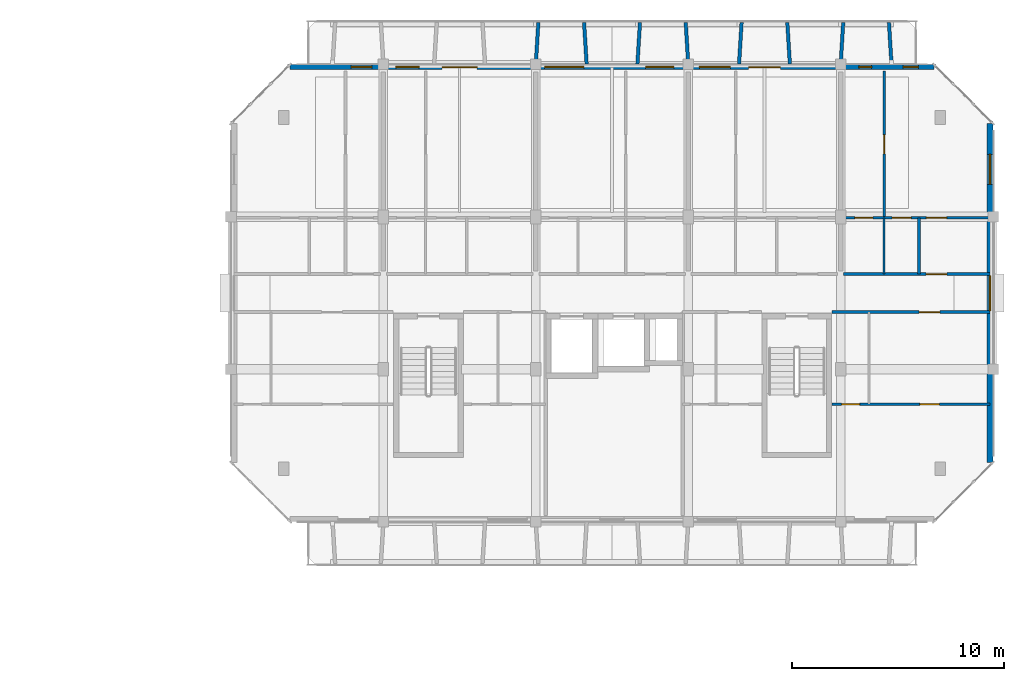
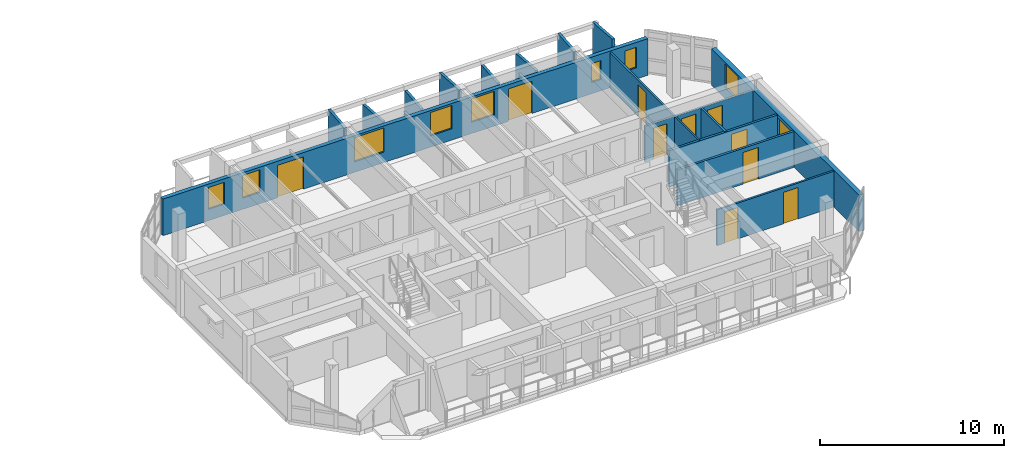
# One storey, part 28 of 40: 17 walls, 10 doors, 9 windows, 19 openings.
"""IFC4 building model written with IfcOpenShell, lengths in metres."""

from ifc_helpers import new_model, si_unit, direction, frame, frame_2d, origin, place, context, subcontext, project, spatial, rectangle, extrude, material, layer, layer_set, type_object, element, fill, save


model = new_model("IFC4")

# Units and contexts
model_context = context("Model", 3, precision=1e-05, world=origin(), true_north=direction((0.0, 1.0)))
body_context = subcontext(model_context, "Body", "Model", "MODEL_VIEW")
ifc_project = project(units=[si_unit("LENGTHUNIT", "METRE"), si_unit("AREAUNIT", "SQUARE_METRE"), si_unit("VOLUMEUNIT", "CUBIC_METRE"), si_unit("PLANEANGLEUNIT", "RADIAN"), si_unit("MASSUNIT", "GRAM", prefix="KILO")], contexts=[model_context])

# Site, building, storey
site_placement = place(None, origin())
site = spatial("IfcSite", under=ifc_project, at=site_placement, CompositionType="ELEMENT")
building_placement = place(site_placement, origin())
building = spatial("IfcBuilding", under=site, at=building_placement, Name="Ochrevale Crest", CompositionType="ELEMENT")
storey_placement = place(building_placement, frame((0.0, 0.0, 27.60009765625)))
storey = spatial("IfcBuildingStorey", under=building, at=storey_placement, Name="L08", CompositionType="ELEMENT", Elevation=27.60009765625)

# Wall, opening, door
ifc_material_1 = material(Name="Gypsum plasterboard", Category="gypsum")
ifc_layer_1 = layer(ifc_material_1, 0.139892578125)
ifc_layer_set_1 = layer_set([ifc_layer_1], Name="Gypsum plasterboard")
wall_type_1 = type_object("IfcWallType", Name="WL-COR-140", PredefinedType="PARTITIONING", material=ifc_layer_set_1)
wall_1_placement = place(storey_placement, frame((158.5400390625, 83.699951171875, 0.0), z_axis=(0.0, 0.0, 1.0), x_axis=(1.0, 0.0, 0.0)))
wall_1 = element("IfcWall", 1, at=wall_1_placement, inside=storey, type_object=wall_type_1, Name="Apartment D-L08-U5 corridor wall", PredefinedType="PARTITIONING", context=body_context, shape_type="SweptSolid", body=[
    extrude(rectangle(XDim=6.919921875, YDim=0.139892578125, at=frame_2d((3.4599609375, 0.0))), origin(), (0.0, 0.0, 1.0), 2.3798828125),
])
opening_1_placement = place(wall_1_placement, frame((4.875, 0.0, 0.0), z_axis=(0.0, 0.0, 1.0), x_axis=(-1.0, 0.0, 0.0)))
opening_1 = element("IfcOpeningElement", 2, at=opening_1_placement, cuts=wall_1, Name="Opening FD01", PredefinedType="OPENING", context=body_context, shape_type="SweptSolid", body=[
    extrude(rectangle(XDim=0.97998046875, YDim=2.10009765625, at=frame_2d((0.489990234375, 1.050048828125))), frame((0.0, 0.080078125, 0.0), z_axis=(0.0, -1.0, 0.0), x_axis=(1.0, 0.0, 0.0)), (0.0, 0.0, 1.0), 0.159912109375),
])
ifc_material_2 = material(Name="Solid-core FSC hardwood", Category="wood")
door_type_1 = type_object("IfcDoorType", Name="DR-APT-950", OperationType="NOTDEFINED", PredefinedType="DOOR", material=ifc_material_2)
door_1_placement = place(opening_1_placement, origin())
door_1 = element("IfcDoor", 3, at=door_1_placement, inside=storey, type_object=door_type_1, Name="Apartment D-L08-U5 entrance door", OperationType="SINGLE_SWING_RIGHT", OverallHeight=2.10009765625, OverallWidth=0.97998046875, PredefinedType="DOOR", context=body_context, shape_type="SweptSolid", body=[
    extrude(rectangle(XDim=0.97998046875, YDim=2.10009765625, at=frame_2d((0.489990234375, 1.050048828125))), frame((0.0, 0.02490234375, 0.0), z_axis=(0.0, -1.0, 0.0), x_axis=(1.0, 0.0, 0.0)), (0.0, 0.0, 1.0), 0.050048828125),
])
fill(opening_1, door_1)

wall_2_placement = place(storey_placement, frame((157.989990234375, 81.89990234375, 0.0), z_axis=(0.0, 0.0, 1.0), x_axis=(1.0, 0.0, 0.0)))
wall_2 = element("IfcWall", 4, at=wall_2_placement, inside=storey, type_object=wall_type_1, Name="Suite D-L08-CE corridor wall", PredefinedType="PARTITIONING", context=body_context, shape_type="SweptSolid", body=[
    extrude(rectangle(XDim=7.469970703125, YDim=0.139892578125, at=frame_2d((3.73486328125, 0.0))), origin(), (0.0, 0.0, 1.0), 2.3798828125),
])
opening_2_placement = place(wall_2_placement, frame((5.10009765625, 0.0, 0.0), z_axis=(0.0, 0.0, 1.0), x_axis=(-1.0, 0.0, 0.0)))
opening_2 = element("IfcOpeningElement", 5, at=opening_2_placement, cuts=wall_2, Name="Opening FD01", PredefinedType="OPENING", context=body_context, shape_type="SweptSolid", body=[
    extrude(rectangle(XDim=0.97998046875, YDim=2.10009765625, at=frame_2d((0.489990234375, 1.050048828125))), frame((0.0, 0.080078125, 0.0), z_axis=(0.0, -1.0, 0.0), x_axis=(1.0, 0.0, 0.0)), (0.0, 0.0, 1.0), 0.159912109375),
])
door_2_placement = place(opening_2_placement, origin())
door_2 = element("IfcDoor", 6, at=door_2_placement, inside=storey, type_object=door_type_1, Name="Suite D-L08-CE entrance door", OperationType="SINGLE_SWING_RIGHT", OverallHeight=2.10009765625, OverallWidth=0.97998046875, PredefinedType="DOOR", context=body_context, shape_type="SweptSolid", body=[
    extrude(rectangle(XDim=0.97998046875, YDim=2.10009765625, at=frame_2d((0.489990234375, 1.050048828125))), frame((0.0, 0.02490234375, 0.0), z_axis=(0.0, -1.0, 0.0), x_axis=(1.0, 0.0, 0.0)), (0.0, 0.0, 1.0), 0.050048828125),
])
fill(opening_2, door_2)

# Wall, openings, windows
ifc_material_3 = material(Name="Clay face brickwork", Category="masonry")
ifc_layer_2 = layer(ifc_material_3, 0.2900390625)
ifc_layer_set_2 = layer_set([ifc_layer_2], Name="Clay face brickwork")
wall_type_2 = type_object("IfcWallType", Name="WL-EXT-BRICK-290", PredefinedType="SOLIDWALL", material=ifc_layer_set_2)
wall_3_placement = place(storey_placement, frame((165.455078125, 74.800048828125, 0.0), z_axis=(0.0, 0.0, 1.0), x_axis=(0.0, 1.0, 0.0)))
wall_3 = element("IfcWall", 7, at=wall_3_placement, inside=storey, type_object=wall_type_2, Name="Block D L08 external facade wall E3", PredefinedType="SOLIDWALL", context=body_context, shape_type="SweptSolid", body=[
    extrude(rectangle(XDim=16.0, YDim=0.2900390625, at=frame_2d((8.0, 0.0))), origin(), (0.0, 0.0, 1.0), 2.429931640625),
])
opening_3_placement = place(wall_3_placement, frame((7.175048828125, 0.0, 1.050048828125)))
opening_3 = element("IfcOpeningElement", 8, at=opening_3_placement, cuts=wall_3, Name="Opening W19", PredefinedType="OPENING", context=body_context, shape_type="SweptSolid", body=[
    extrude(rectangle(XDim=1.64990234375, YDim=1.14990234375, at=frame_2d((0.824951171875, 0.574951171875))), frame((0.0, 0.155029296875, 0.0), z_axis=(0.0, -1.0, 0.0), x_axis=(1.0, 0.0, 0.0)), (0.0, 0.0, 1.0), 0.31005859375),
])
opening_4_placement = place(wall_3_placement, frame((13.1298828125, 0.0, 0.719970703125)))
opening_4 = element("IfcOpeningElement", 9, at=opening_4_placement, cuts=wall_3, Name="Opening W31", PredefinedType="OPENING", context=body_context, shape_type="SweptSolid", body=[
    extrude(rectangle(XDim=1.419921875, YDim=1.60009765625, at=frame_2d((0.7099609375, 0.800048828125))), frame((0.0, 0.155029296875, 0.0), z_axis=(0.0, -1.0, 0.0), x_axis=(1.0, 0.0, 0.0)), (0.0, 0.0, 1.0), 0.31005859375),
])
ifc_material_4 = material(Name="Anodised aluminium 6063-T5 and low-E double glazing", Category="aluminium")
window_type_1 = type_object("IfcWindowType", Name="WIN-W19", PartitioningType="SINGLE_PANEL", PredefinedType="WINDOW", material=ifc_material_4)
window_1_placement = place(opening_3_placement, origin())
window_1 = element("IfcWindow", 10, at=window_1_placement, inside=storey, type_object=window_type_1, Name="Block D L08 corridor end daylight window E", OverallHeight=1.14990234375, OverallWidth=1.64990234375, PartitioningType="SINGLE_PANEL", PredefinedType="WINDOW", context=body_context, shape_type="SweptSolid", body=[
    extrude(rectangle(XDim=1.64990234375, YDim=1.14990234375, at=frame_2d((0.824951171875, 0.574951171875))), frame((0.0, 0.030029296875, 0.0), z_axis=(0.0, -1.0, 0.0), x_axis=(1.0, 0.0, 0.0)), (0.0, 0.0, 1.0), 0.06005859375),
])
fill(opening_3, window_1)
window_type_2 = type_object("IfcWindowType", Name="WIN-W31", PartitioningType="SINGLE_PANEL", PredefinedType="WINDOW", material=ifc_material_4)
window_2_placement = place(opening_4_placement, origin())
window_2 = element("IfcWindow", 11, at=window_2_placement, inside=storey, type_object=window_type_2, Name="Block D L08 side suite window E", OverallHeight=1.60009765625, OverallWidth=1.419921875, PartitioningType="SINGLE_PANEL", PredefinedType="WINDOW", context=body_context, shape_type="SweptSolid", body=[
    extrude(rectangle(XDim=1.419921875, YDim=1.60009765625, at=frame_2d((0.7099609375, 0.800048828125))), frame((0.0, 0.030029296875, 0.0), z_axis=(0.0, -1.0, 0.0), x_axis=(1.0, 0.0, 0.0)), (0.0, 0.0, 1.0), 0.06005859375),
])
fill(opening_4, window_2)

# Wall, openings, doors, windows
ifc_material_5 = material(Name="Precast concrete C40/50", Category="concrete")
ifc_layer_3 = layer(ifc_material_5, 0.25)
ifc_layer_set_3 = layer_set([ifc_layer_3], Name="Precast concrete C40/50")
wall_type_3 = type_object("IfcWallType", Name="WL-EXT-GOLD-250", PredefinedType="SOLIDWALL", material=ifc_layer_set_3)
wall_4_placement = place(storey_placement, frame((162.800048828125, 93.47509765625, 0.0), z_axis=(0.0, 0.0, 1.0), x_axis=(-1.0, 0.0, 0.0)))
wall_4 = element("IfcWall", 12, at=wall_4_placement, inside=storey, type_object=wall_type_3, Name="Block D L08 external facade wall E5", PredefinedType="SOLIDWALL", context=body_context, shape_type="SweptSolid", body=[
    extrude(rectangle(XDim=30.400146484375, YDim=0.25, at=frame_2d((15.2001953125, 0.0))), origin(), (0.0, 0.0, 1.0), 2.429931640625),
])
opening_5_placement = place(wall_4_placement, frame((23.224853515625, 0.0, 0.0), z_axis=(0.0, 0.0, 1.0), x_axis=(-1.0, 0.0, 0.0)))
opening_5 = element("IfcOpeningElement", 13, at=opening_5_placement, cuts=wall_4, Name="Opening BD02", PredefinedType="OPENING", context=body_context, shape_type="SweptSolid", body=[
    extrude(rectangle(XDim=1.64990234375, YDim=2.14990234375, at=frame_2d((0.824951171875, 1.074951171875))), frame((0.0, 0.135009765625, 0.0), z_axis=(0.0, -1.0, 0.0), x_axis=(1.0, 0.0, 0.0)), (0.0, 0.0, 1.0), 0.27001953125),
])
opening_6_placement = place(wall_4_placement, frame((8.75, 0.0, 0.0), z_axis=(0.0, 0.0, 1.0), x_axis=(-1.0, 0.0, 0.0)))
opening_6 = element("IfcOpeningElement", 14, at=opening_6_placement, cuts=wall_4, Name="Opening BD01", PredefinedType="OPENING", context=body_context, shape_type="SweptSolid", body=[
    extrude(rectangle(XDim=1.5, YDim=2.14990234375, at=frame_2d((0.75, 1.074951171875))), frame((0.0, 0.135009765625, 0.0), z_axis=(0.0, -1.0, 0.0), x_axis=(1.0, 0.0, 0.0)), (0.0, 0.0, 1.0), 0.27001953125),
])
opening_7_placement = place(wall_4_placement, frame((26.544921875, 0.0, 0.75)))
opening_7 = element("IfcOpeningElement", 15, at=opening_7_placement, cuts=wall_4, Name="Opening W04", PredefinedType="OPENING", context=body_context, shape_type="SweptSolid", body=[
    extrude(rectangle(XDim=0.97998046875, YDim=1.449951171875, at=frame_2d((0.489990234375, 0.72509765625))), frame((0.0, 0.135009765625, 0.0), z_axis=(0.0, -1.0, 0.0), x_axis=(1.0, 0.0, 0.0)), (0.0, 0.0, 1.0), 0.27001953125),
])
opening_8_placement = place(wall_4_placement, frame((24.31494140625, 0.0, 0.75)))
opening_8 = element("IfcOpeningElement", 16, at=opening_8_placement, cuts=wall_4, Name="Opening W05", PredefinedType="OPENING", context=body_context, shape_type="SweptSolid", body=[
    extrude(rectangle(XDim=1.10009765625, YDim=1.5, at=frame_2d((0.550048828125, 0.75))), frame((0.0, 0.135009765625, 0.0), z_axis=(0.0, -1.0, 0.0), x_axis=(1.0, 0.0, 0.0)), (0.0, 0.0, 1.0), 0.27001953125),
])
opening_9_placement = place(wall_4_placement, frame((16.52490234375, 0.0, 0.699951171875)))
opening_9 = element("IfcOpeningElement", 17, at=opening_9_placement, cuts=wall_4, Name="Opening W11", PredefinedType="OPENING", context=body_context, shape_type="SweptSolid", body=[
    extrude(rectangle(XDim=1.860107421875, YDim=1.60009765625, at=frame_2d((0.93017578125, 0.800048828125))), frame((0.0, 0.135009765625, 0.0), z_axis=(0.0, -1.0, 0.0), x_axis=(1.0, 0.0, 0.0)), (0.0, 0.0, 1.0), 0.27001953125),
])
opening_10_placement = place(wall_4_placement, frame((12.27490234375, 0.0, 0.75)))
opening_10 = element("IfcOpeningElement", 18, at=opening_10_placement, cuts=wall_4, Name="Opening W07", PredefinedType="OPENING", context=body_context, shape_type="SweptSolid", body=[
    extrude(rectangle(XDim=1.340087890625, YDim=1.550048828125, at=frame_2d((0.669921875, 0.77490234375))), frame((0.0, 0.135009765625, 0.0), z_axis=(0.0, -1.0, 0.0), x_axis=(1.0, 0.0, 0.0)), (0.0, 0.0, 1.0), 0.27001953125),
])
opening_11_placement = place(wall_4_placement, frame((9.610107421875, 0.0, 0.75)))
opening_11 = element("IfcOpeningElement", 19, at=opening_11_placement, cuts=wall_4, Name="Opening W08", PredefinedType="OPENING", context=body_context, shape_type="SweptSolid", body=[
    extrude(rectangle(XDim=1.4599609375, YDim=1.550048828125, at=frame_2d((0.72998046875, 0.77490234375))), frame((0.0, 0.135009765625, 0.0), z_axis=(0.0, -1.0, 0.0), x_axis=(1.0, 0.0, 0.0)), (0.0, 0.0, 1.0), 0.27001953125),
])
opening_12_placement = place(wall_4_placement, frame((2.93505859375, 0.0, 0.75)))
opening_12 = element("IfcOpeningElement", 20, at=opening_12_placement, cuts=wall_4, Name="Opening W01", PredefinedType="OPENING", context=body_context, shape_type="SweptSolid", body=[
    extrude(rectangle(XDim=0.60009765625, YDim=1.25, at=frame_2d((0.300048828125, 0.625))), frame((0.0, 0.135009765625, 0.0), z_axis=(0.0, -1.0, 0.0), x_axis=(1.0, 0.0, 0.0)), (0.0, 0.0, 1.0), 0.27001953125),
])
opening_13_placement = place(wall_4_placement, frame((0.72509765625, 0.0, 0.75)))
opening_13 = element("IfcOpeningElement", 21, at=opening_13_placement, cuts=wall_4, Name="Opening W02", PredefinedType="OPENING", context=body_context, shape_type="SweptSolid", body=[
    extrude(rectangle(XDim=0.719970703125, YDim=1.35009765625, at=frame_2d((0.35986328125, 0.675048828125))), frame((0.0, 0.135009765625, 0.0), z_axis=(0.0, -1.0, 0.0), x_axis=(1.0, 0.0, 0.0)), (0.0, 0.0, 1.0), 0.27001953125),
])
ifc_material_6 = material(Name="Anodised aluminium 6063-T5 and toughened glass", Category="aluminium")
door_type_2 = type_object("IfcDoorType", Name="DR-BAL-1500", OperationType="NOTDEFINED", PredefinedType="DOOR", material=ifc_material_6)
door_3_placement = place(opening_6_placement, origin())
door_3 = element("IfcDoor", 22, at=door_3_placement, inside=storey, type_object=door_type_2, Name="Block D L08 balcony door N4", OperationType="SINGLE_SWING_RIGHT", OverallHeight=2.14990234375, OverallWidth=1.5, PredefinedType="DOOR", context=body_context, shape_type="SweptSolid", body=[
    extrude(rectangle(XDim=1.5, YDim=2.14990234375, at=frame_2d((0.75, 1.074951171875))), frame((0.0, 0.02490234375, 0.0), z_axis=(0.0, -1.0, 0.0), x_axis=(1.0, 0.0, 0.0)), (0.0, 0.0, 1.0), 0.050048828125),
])
fill(opening_6, door_3)
door_type_3 = type_object("IfcDoorType", Name="DR-BAL-1650", OperationType="NOTDEFINED", PredefinedType="DOOR", material=ifc_material_6)
door_4_placement = place(opening_5_placement, origin())
door_4 = element("IfcDoor", 23, at=door_4_placement, inside=storey, type_object=door_type_3, Name="Block D L08 balcony door N2", OperationType="SINGLE_SWING_LEFT", OverallHeight=2.14990234375, OverallWidth=1.64990234375, PredefinedType="DOOR", context=body_context, shape_type="SweptSolid", body=[
    extrude(rectangle(XDim=1.64990234375, YDim=2.14990234375, at=frame_2d((0.824951171875, 1.074951171875))), frame((0.0, 0.02490234375, 0.0), z_axis=(0.0, -1.0, 0.0), x_axis=(1.0, 0.0, 0.0)), (0.0, 0.0, 1.0), 0.050048828125),
])
fill(opening_5, door_4)
window_type_3 = type_object("IfcWindowType", Name="WIN-W01", PartitioningType="SINGLE_PANEL", PredefinedType="WINDOW", material=ifc_material_4)
window_3_placement = place(opening_12_placement, origin())
window_3 = element("IfcWindow", 24, at=window_3_placement, inside=storey, type_object=window_type_3, Name="Block D L08 Apartment D-L08-U5 Twin Bedroom window", OverallHeight=1.25, OverallWidth=0.60009765625, PartitioningType="SINGLE_PANEL", PredefinedType="WINDOW", context=body_context, shape_type="SweptSolid", body=[
    extrude(rectangle(XDim=0.60009765625, YDim=1.25, at=frame_2d((0.300048828125, 0.625))), frame((0.0, 0.030029296875, 0.0), z_axis=(0.0, -1.0, 0.0), x_axis=(1.0, 0.0, 0.0)), (0.0, 0.0, 1.0), 0.06005859375),
])
fill(opening_12, window_3)
window_type_4 = type_object("IfcWindowType", Name="WIN-W02", PartitioningType="SINGLE_PANEL", PredefinedType="WINDOW", material=ifc_material_4)
window_4_placement = place(opening_13_placement, origin())
window_4 = element("IfcWindow", 25, at=window_4_placement, inside=storey, type_object=window_type_4, Name="Block D L08 Apartment D-L08-U5 Three Bedroom Family Living window", OverallHeight=1.35009765625, OverallWidth=0.719970703125, PartitioningType="SINGLE_PANEL", PredefinedType="WINDOW", context=body_context, shape_type="SweptSolid", body=[
    extrude(rectangle(XDim=0.719970703125, YDim=1.35009765625, at=frame_2d((0.35986328125, 0.675048828125))), frame((0.0, 0.030029296875, 0.0), z_axis=(0.0, -1.0, 0.0), x_axis=(1.0, 0.0, 0.0)), (0.0, 0.0, 1.0), 0.06005859375),
])
fill(opening_13, window_4)
window_type_5 = type_object("IfcWindowType", Name="WIN-W04", PartitioningType="SINGLE_PANEL", PredefinedType="WINDOW", material=ifc_material_4)
window_5_placement = place(opening_7_placement, origin())
window_5 = element("IfcWindow", 26, at=window_5_placement, inside=storey, type_object=window_type_5, Name="Block D L08 Apartment D-L08-U1 Three Bedroom Family Living window", OverallHeight=1.449951171875, OverallWidth=0.97998046875, PartitioningType="SINGLE_PANEL", PredefinedType="WINDOW", context=body_context, shape_type="SweptSolid", body=[
    extrude(rectangle(XDim=0.97998046875, YDim=1.449951171875, at=frame_2d((0.489990234375, 0.72509765625))), frame((0.0, 0.030029296875, 0.0), z_axis=(0.0, -1.0, 0.0), x_axis=(1.0, 0.0, 0.0)), (0.0, 0.0, 1.0), 0.06005859375),
])
fill(opening_7, window_5)
window_type_6 = type_object("IfcWindowType", Name="WIN-W05", PartitioningType="SINGLE_PANEL", PredefinedType="WINDOW", material=ifc_material_4)
window_6_placement = place(opening_8_placement, origin())
window_6 = element("IfcWindow", 27, at=window_6_placement, inside=storey, type_object=window_type_6, Name="Block D L08 Apartment D-L08-U2 Double Bedroom window", OverallHeight=1.5, OverallWidth=1.10009765625, PartitioningType="SINGLE_PANEL", PredefinedType="WINDOW", context=body_context, shape_type="SweptSolid", body=[
    extrude(rectangle(XDim=1.10009765625, YDim=1.5, at=frame_2d((0.550048828125, 0.75))), frame((0.0, 0.030029296875, 0.0), z_axis=(0.0, -1.0, 0.0), x_axis=(1.0, 0.0, 0.0)), (0.0, 0.0, 1.0), 0.06005859375),
])
fill(opening_8, window_6)
window_type_7 = type_object("IfcWindowType", Name="WIN-W07", PartitioningType="SINGLE_PANEL", PredefinedType="WINDOW", material=ifc_material_4)
window_7_placement = place(opening_10_placement, origin())
window_7 = element("IfcWindow", 28, at=window_7_placement, inside=storey, type_object=window_type_7, Name="Block D L08 Apartment D-L08-U3 One Bedroom Living Room window", OverallHeight=1.550048828125, OverallWidth=1.340087890625, PartitioningType="SINGLE_PANEL", PredefinedType="WINDOW", context=body_context, shape_type="SweptSolid", body=[
    extrude(rectangle(XDim=1.340087890625, YDim=1.550048828125, at=frame_2d((0.669921875, 0.77490234375))), frame((0.0, 0.030029296875, 0.0), z_axis=(0.0, -1.0, 0.0), x_axis=(1.0, 0.0, 0.0)), (0.0, 0.0, 1.0), 0.06005859375),
])
fill(opening_10, window_7)
window_type_8 = type_object("IfcWindowType", Name="WIN-W08", PartitioningType="SINGLE_PANEL", PredefinedType="WINDOW", material=ifc_material_4)
window_8_placement = place(opening_11_placement, origin())
window_8 = element("IfcWindow", 29, at=window_8_placement, inside=storey, type_object=window_type_8, Name="Block D L08 Apartment D-L08-U4 Master Bedroom window", OverallHeight=1.550048828125, OverallWidth=1.4599609375, PartitioningType="SINGLE_PANEL", PredefinedType="WINDOW", context=body_context, shape_type="SweptSolid", body=[
    extrude(rectangle(XDim=1.4599609375, YDim=1.550048828125, at=frame_2d((0.72998046875, 0.77490234375))), frame((0.0, 0.030029296875, 0.0), z_axis=(0.0, -1.0, 0.0), x_axis=(1.0, 0.0, 0.0)), (0.0, 0.0, 1.0), 0.06005859375),
])
fill(opening_11, window_8)
window_type_9 = type_object("IfcWindowType", Name="WIN-W11", PartitioningType="SINGLE_PANEL", PredefinedType="WINDOW", material=ifc_material_4)
window_9_placement = place(opening_9_placement, origin())
window_9 = element("IfcWindow", 30, at=window_9_placement, inside=storey, type_object=window_type_9, Name="Block D L08 Apartment D-L08-U3 Master Bedroom window", OverallHeight=1.60009765625, OverallWidth=1.860107421875, PartitioningType="SINGLE_PANEL", PredefinedType="WINDOW", context=body_context, shape_type="SweptSolid", body=[
    extrude(rectangle(XDim=1.860107421875, YDim=1.60009765625, at=frame_2d((0.93017578125, 0.800048828125))), frame((0.0, 0.030029296875, 0.0), z_axis=(0.0, -1.0, 0.0), x_axis=(1.0, 0.0, 0.0)), (0.0, 0.0, 1.0), 0.06005859375),
])
fill(opening_9, window_9)

# Walls
ifc_layer_4 = layer(ifc_material_5, 0.1650390625)
ifc_layer_set_4 = layer_set([ifc_layer_4], Name="Precast concrete C40/50")
wall_type_4 = type_object("IfcWallType", Name="WL-HC-CHEEK-165", PredefinedType="ELEMENTEDWALL", material=ifc_layer_set_4)
wall_5_placement = place(storey_placement, frame((144.0, 93.6201171875, 0.0), z_axis=(0.0, 0.0, 1.0), x_axis=(0.061170732449, 0.998127317276, 0.0)))
element("IfcWall", 31, at=wall_5_placement, inside=storey, type_object=wall_type_4, Name="Block D L08 N precast honeycomb cheek 5", PredefinedType="ELEMENTEDWALL", context=body_context, shape_type="SweptSolid", body=[
    extrude(rectangle(XDim=1.963623046875, YDim=0.1650390625, at=frame_2d((0.98193359375, 0.0))), origin(), (0.0, 0.0, 1.0), 2.949951171875),
])
for number, where, z_axis, x_axis, name in (
    (32, (146.39990234375, 93.6201171875, 0.0), (0.0, 0.0, 1.0), (-0.061046865508, 0.998134900808, 0.0), "Block D L08 N precast honeycomb cheek 6"),
    (33, (148.800048828125, 93.6201171875, 0.0), (0.0, 0.0, 1.0), (0.061046865508, 0.998134900808, 0.0), "Block D L08 N precast honeycomb cheek 7"),
):
    element("IfcWall", number, at=place(storey_placement, frame(where, z_axis=z_axis, x_axis=x_axis)), inside=storey, type_object=wall_type_4, Name=name, PredefinedType="ELEMENTEDWALL", context=body_context, shape_type="SweptSolid", body=[
        extrude(rectangle(XDim=1.963623046875, YDim=0.1650390625, at=frame_2d((0.98193359375, 0.0))), origin(), (0.0, 0.0, 1.0), 2.52978515625),
    ])
wall_6_placement = place(storey_placement, frame((151.199951171875, 93.6201171875, 0.0), z_axis=(0.0, 0.0, 1.0), x_axis=(-0.061046865508, 0.998134900808, 0.0)))
element("IfcWall", 34, at=wall_6_placement, inside=storey, type_object=wall_type_4, Name="Block D L08 N precast honeycomb cheek 8", PredefinedType="ELEMENTEDWALL", context=body_context, shape_type="SweptSolid", body=[
    extrude(rectangle(XDim=1.963623046875, YDim=0.1650390625, at=frame_2d((0.98193359375, 0.0))), origin(), (0.0, 0.0, 1.0), 2.949951171875),
])
for number, where, z_axis, x_axis, name in (
    (35, (153.60009765625, 93.6201171875, 0.0), (0.0, 0.0, 1.0), (0.061046865508, 0.998134900808, 0.0), "Block D L08 N precast honeycomb cheek 9"),
    (36, (156.0, 93.6201171875, 0.0), (0.0, 0.0, 1.0), (-0.061170732449, 0.998127317276, 0.0), "Block D L08 N precast honeycomb cheek 10"),
):
    element("IfcWall", number, at=place(storey_placement, frame(where, z_axis=z_axis, x_axis=x_axis)), inside=storey, type_object=wall_type_4, Name=name, PredefinedType="ELEMENTEDWALL", context=body_context, shape_type="SweptSolid", body=[
        extrude(rectangle(XDim=1.963623046875, YDim=0.1650390625, at=frame_2d((0.98193359375, 0.0))), origin(), (0.0, 0.0, 1.0), 2.5498046875),
    ])
for number, where, z_axis, x_axis, name in (
    (37, (158.39990234375, 93.6201171875, 0.0), (0.0, 0.0, 1.0), (0.061170732449, 0.998127317276, 0.0), "Block D L08 N precast honeycomb cheek 11"),
    (38, (160.800048828125, 93.6201171875, 0.0), (0.0, 0.0, 1.0), (-0.061170732449, 0.998127317276, 0.0), "Block D L08 N precast honeycomb cheek 12"),
):
    element("IfcWall", number, at=place(storey_placement, frame(where, z_axis=z_axis, x_axis=x_axis)), inside=storey, type_object=wall_type_4, Name=name, PredefinedType="ELEMENTEDWALL", context=body_context, shape_type="SweptSolid", body=[
        extrude(rectangle(XDim=1.963623046875, YDim=0.1650390625, at=frame_2d((0.98193359375, 0.0))), origin(), (0.0, 0.0, 1.0), 2.949951171875),
    ])
ifc_layer_5 = layer(ifc_material_1, 0.1201171875)
ifc_layer_set_5 = layer_set([ifc_layer_5], Name="Gypsum plasterboard")
wall_type_5 = type_object("IfcWallType", Name="WL-PART-120", PredefinedType="PARTITIONING", material=ifc_layer_set_5)
wall_7_placement = place(storey_placement, frame((162.10009765625, 83.699951171875, 0.0), z_axis=(0.0, 0.0, 1.0), x_axis=(0.0, 1.0, 0.0)))
element("IfcWall", 39, at=wall_7_placement, inside=storey, type_object=wall_type_5, Name="Apartment D-L08-U5 kitchen-foyer wall", PredefinedType="PARTITIONING", context=body_context, shape_type="SweptSolid", body=[
    extrude(rectangle(XDim=2.650146484375, YDim=0.1201171875, at=frame_2d((1.3251953125, 0.0))), origin(), (0.0, 0.0, 1.0), 2.3798828125),
])

# Wall, openings, doors
wall_8_placement = place(storey_placement, frame((158.5400390625, 86.35009765625, 0.0), z_axis=(0.0, 0.0, 1.0), x_axis=(1.0, 0.0, 0.0)))
wall_8 = element("IfcWall", 40, at=wall_8_placement, inside=storey, type_object=wall_type_5, Name="Apartment D-L08-U5 central partition", PredefinedType="PARTITIONING", context=body_context, shape_type="SweptSolid", body=[
    extrude(rectangle(XDim=6.919921875, YDim=0.1201171875, at=frame_2d((3.4599609375, 0.0))), origin(), (0.0, 0.0, 1.0), 2.3798828125),
])
opening_14_placement = place(wall_8_placement, frame((0.530029296875, 0.0, 0.0)))
opening_14 = element("IfcOpeningElement", 41, at=opening_14_placement, cuts=wall_8, Name="Opening ID01", PredefinedType="OPENING", context=body_context, shape_type="SweptSolid", body=[
    extrude(rectangle(XDim=0.85009765625, YDim=2.080078125, at=frame_2d((0.425048828125, 1.0400390625))), frame((0.0, 0.070068359375, 0.0), z_axis=(0.0, -1.0, 0.0), x_axis=(1.0, 0.0, 0.0)), (0.0, 0.0, 1.0), 0.14013671875),
])
opening_15_placement = place(wall_8_placement, frame((3.184814453125, 0.0, 0.0), z_axis=(0.0, 0.0, 1.0), x_axis=(-1.0, 0.0, 0.0)))
opening_15 = element("IfcOpeningElement", 42, at=opening_15_placement, cuts=wall_8, Name="Opening ID02", PredefinedType="OPENING", context=body_context, shape_type="SweptSolid", body=[
    extrude(rectangle(XDim=0.89990234375, YDim=2.080078125, at=frame_2d((0.449951171875, 1.0400390625))), frame((0.0, 0.070068359375, 0.0), z_axis=(0.0, -1.0, 0.0), x_axis=(1.0, 0.0, 0.0)), (0.0, 0.0, 1.0), 0.14013671875),
])
opening_16_placement = place(wall_8_placement, frame((3.909912109375, 0.0, 0.0)))
opening_16 = element("IfcOpeningElement", 43, at=opening_16_placement, cuts=wall_8, Name="Opening ID06", PredefinedType="OPENING", context=body_context, shape_type="SweptSolid", body=[
    extrude(rectangle(XDim=0.949951171875, YDim=2.080078125, at=frame_2d((0.47509765625, 1.0400390625))), frame((0.0, 0.070068359375, 0.0), z_axis=(0.0, -1.0, 0.0), x_axis=(1.0, 0.0, 0.0)), (0.0, 0.0, 1.0), 0.14013671875),
])
door_type_4 = type_object("IfcDoorType", Name="DR-INT-900", OperationType="NOTDEFINED", PredefinedType="DOOR", material=ifc_material_2)
door_5_placement = place(opening_15_placement, origin())
door_5 = element("IfcDoor", 44, at=door_5_placement, inside=storey, type_object=door_type_4, Name="Apartment D-L08-U5 Kitchen door", OperationType="SINGLE_SWING_RIGHT", OverallHeight=2.080078125, OverallWidth=0.89990234375, PredefinedType="DOOR", context=body_context, shape_type="SweptSolid", body=[
    extrude(rectangle(XDim=0.89990234375, YDim=2.080078125, at=frame_2d((0.449951171875, 1.0400390625))), frame((0.0, 0.02490234375, 0.0), z_axis=(0.0, -1.0, 0.0), x_axis=(1.0, 0.0, 0.0)), (0.0, 0.0, 1.0), 0.050048828125),
])
fill(opening_15, door_5)
door_type_5 = type_object("IfcDoorType", Name="DR-INT-950", OperationType="NOTDEFINED", PredefinedType="DOOR", material=ifc_material_2)
door_6_placement = place(opening_16_placement, origin())
door_6 = element("IfcDoor", 45, at=door_6_placement, inside=storey, type_object=door_type_5, Name="Apartment D-L08-U5 Living Foyer door", OperationType="SINGLE_SWING_LEFT", OverallHeight=2.080078125, OverallWidth=0.949951171875, PredefinedType="DOOR", context=body_context, shape_type="SweptSolid", body=[
    extrude(rectangle(XDim=0.949951171875, YDim=2.080078125, at=frame_2d((0.47509765625, 1.0400390625))), frame((0.0, 0.02490234375, 0.0), z_axis=(0.0, -1.0, 0.0), x_axis=(1.0, 0.0, 0.0)), (0.0, 0.0, 1.0), 0.050048828125),
])
fill(opening_16, door_6)
door_type_6 = type_object("IfcDoorType", Name="DR-WC-850", OperationType="NOTDEFINED", PredefinedType="DOOR", material=ifc_material_2)
door_7_placement = place(opening_14_placement, origin())
door_7 = element("IfcDoor", 46, at=door_7_placement, inside=storey, type_object=door_type_6, Name="Apartment D-L08-U5 Bathroom door", OperationType="SINGLE_SWING_LEFT", OverallHeight=2.080078125, OverallWidth=0.85009765625, PredefinedType="DOOR", context=body_context, shape_type="SweptSolid", body=[
    extrude(rectangle(XDim=0.85009765625, YDim=2.080078125, at=frame_2d((0.425048828125, 1.0400390625))), frame((0.0, 0.02490234375, 0.0), z_axis=(0.0, -1.0, 0.0), x_axis=(1.0, 0.0, 0.0)), (0.0, 0.0, 1.0), 0.050048828125),
])
fill(opening_14, door_7)

# Wall, opening, door
wall_9_placement = place(storey_placement, frame((160.449951171875, 86.35009765625, 0.0), z_axis=(0.0, 0.0, 1.0), x_axis=(0.0, 1.0, 0.0)))
wall_9 = element("IfcWall", 47, at=wall_9_placement, inside=storey, type_object=wall_type_5, Name="Apartment D-L08-U5 bedroom partition", PredefinedType="PARTITIONING", context=body_context, shape_type="SweptSolid", body=[
    extrude(rectangle(XDim=6.949951171875, YDim=0.1201171875, at=frame_2d((3.47509765625, 0.0))), origin(), (0.0, 0.0, 1.0), 2.3798828125),
])
opening_17_placement = place(wall_9_placement, frame((3.9248046875, 0.0, 0.0), z_axis=(0.0, 0.0, 1.0), x_axis=(-1.0, 0.0, 0.0)))
opening_17 = element("IfcOpeningElement", 48, at=opening_17_placement, cuts=wall_9, Name="Opening ID02", PredefinedType="OPENING", context=body_context, shape_type="SweptSolid", body=[
    extrude(rectangle(XDim=0.89990234375, YDim=2.080078125, at=frame_2d((0.449951171875, 1.0400390625))), frame((0.0, 0.070068359375, 0.0), z_axis=(0.0, -1.0, 0.0), x_axis=(1.0, 0.0, 0.0)), (0.0, 0.0, 1.0), 0.14013671875),
])
door_8_placement = place(opening_17_placement, origin())
door_8 = element("IfcDoor", 49, at=door_8_placement, inside=storey, type_object=door_type_4, Name="Apartment D-L08-U5 Twin Bedroom door", OperationType="SINGLE_SWING_RIGHT", OverallHeight=2.080078125, OverallWidth=0.89990234375, PredefinedType="DOOR", context=body_context, shape_type="SweptSolid", body=[
    extrude(rectangle(XDim=0.89990234375, YDim=2.080078125, at=frame_2d((0.449951171875, 1.0400390625))), frame((0.0, 0.02490234375, 0.0), z_axis=(0.0, -1.0, 0.0), x_axis=(1.0, 0.0, 0.0)), (0.0, 0.0, 1.0), 0.050048828125),
])
fill(opening_17, door_8)

# Wall, openings, doors
wall_10_placement = place(storey_placement, frame((157.989990234375, 77.550048828125, 0.0), z_axis=(0.0, 0.0, 1.0), x_axis=(1.0, 0.0, 0.0)))
wall_10 = element("IfcWall", 50, at=wall_10_placement, inside=storey, type_object=wall_type_5, Name="Suite D-L08-CE internal wall", PredefinedType="PARTITIONING", context=body_context, shape_type="SweptSolid", body=[
    extrude(rectangle(XDim=7.469970703125, YDim=0.1201171875, at=frame_2d((3.73486328125, 0.0))), origin(), (0.0, 0.0, 1.0), 2.3798828125),
])
opening_18_placement = place(wall_10_placement, frame((0.449951171875, 0.0, 0.0)))
opening_18 = element("IfcOpeningElement", 51, at=opening_18_placement, cuts=wall_10, Name="Opening ID01", PredefinedType="OPENING", context=body_context, shape_type="SweptSolid", body=[
    extrude(rectangle(XDim=0.85009765625, YDim=2.080078125, at=frame_2d((0.425048828125, 1.0400390625))), frame((0.0, 0.070068359375, 0.0), z_axis=(0.0, -1.0, 0.0), x_axis=(1.0, 0.0, 0.0)), (0.0, 0.0, 1.0), 0.14013671875),
])
opening_19_placement = place(wall_10_placement, frame((5.06982421875, 0.0, 0.0), z_axis=(0.0, 0.0, 1.0), x_axis=(-1.0, 0.0, 0.0)))
opening_19 = element("IfcOpeningElement", 52, at=opening_19_placement, cuts=wall_10, Name="Opening ID04", PredefinedType="OPENING", context=body_context, shape_type="SweptSolid", body=[
    extrude(rectangle(XDim=0.919921875, YDim=2.080078125, at=frame_2d((0.4599609375, 1.0400390625))), frame((0.0, 0.070068359375, 0.0), z_axis=(0.0, -1.0, 0.0), x_axis=(1.0, 0.0, 0.0)), (0.0, 0.0, 1.0), 0.14013671875),
])
door_type_7 = type_object("IfcDoorType", Name="DR-INT-920", OperationType="NOTDEFINED", PredefinedType="DOOR", material=ifc_material_2)
door_9_placement = place(opening_19_placement, origin())
door_9 = element("IfcDoor", 53, at=door_9_placement, inside=storey, type_object=door_type_7, Name="Suite D-L08-CE Master Bedroom door", OperationType="SINGLE_SWING_RIGHT", OverallHeight=2.080078125, OverallWidth=0.919921875, PredefinedType="DOOR", context=body_context, shape_type="SweptSolid", body=[
    extrude(rectangle(XDim=0.919921875, YDim=2.080078125, at=frame_2d((0.4599609375, 1.0400390625))), frame((0.0, 0.02490234375, 0.0), z_axis=(0.0, -1.0, 0.0), x_axis=(1.0, 0.0, 0.0)), (0.0, 0.0, 1.0), 0.050048828125),
])
fill(opening_19, door_9)
door_10_placement = place(opening_18_placement, origin())
door_10 = element("IfcDoor", 54, at=door_10_placement, inside=storey, type_object=door_type_6, Name="Suite D-L08-CE Bathroom door", OperationType="SINGLE_SWING_LEFT", OverallHeight=2.080078125, OverallWidth=0.85009765625, PredefinedType="DOOR", context=body_context, shape_type="SweptSolid", body=[
    extrude(rectangle(XDim=0.85009765625, YDim=2.080078125, at=frame_2d((0.425048828125, 1.0400390625))), frame((0.0, 0.02490234375, 0.0), z_axis=(0.0, -1.0, 0.0), x_axis=(1.0, 0.0, 0.0)), (0.0, 0.0, 1.0), 0.050048828125),
])
fill(opening_18, door_10)

# Wall
ifc_layer_6 = layer(ifc_material_1, 0.10009765625)
ifc_layer_set_6 = layer_set([ifc_layer_6], Name="Gypsum plasterboard")
wall_type_6 = type_object("IfcWallType", Name="WL-WET-100", PredefinedType="PARTITIONING", material=ifc_layer_set_6)
wall_11_placement = place(storey_placement, frame((160.449951171875, 83.699951171875, 0.0), z_axis=(0.0, 0.0, 1.0), x_axis=(0.0, 1.0, 0.0)))
element("IfcWall", 55, at=wall_11_placement, inside=storey, type_object=wall_type_6, Name="Apartment D-L08-U5 bath-kitchen wall", PredefinedType="PARTITIONING", context=body_context, shape_type="SweptSolid", body=[
    extrude(rectangle(XDim=2.650146484375, YDim=0.10009765625, at=frame_2d((1.3251953125, 0.0))), origin(), (0.0, 0.0, 1.0), 2.3798828125),
])

save(model, "model.ifc")
